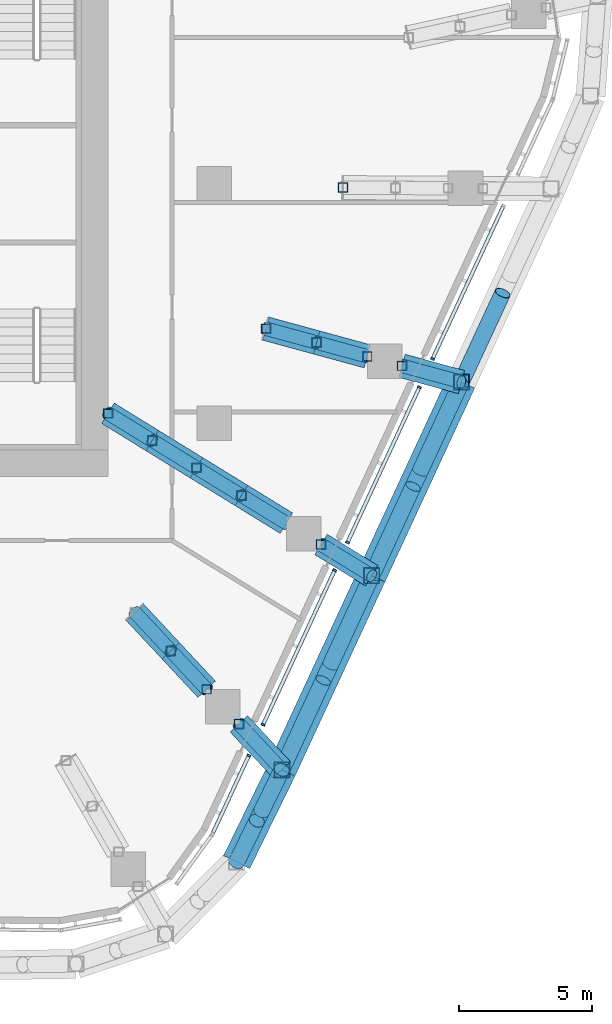
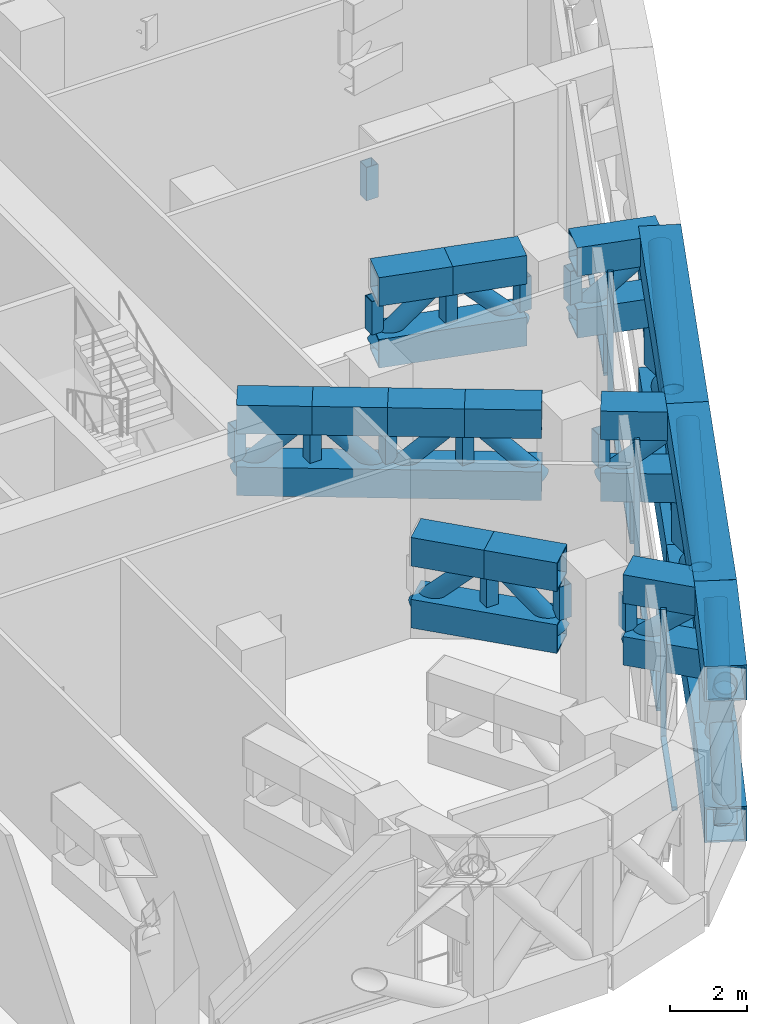
# One storey, part 7 of 30: 70 members, 1 element without a shape of its own.
"""IFC4 building model written with IfcOpenShell, lengths in metres."""

from ifc_helpers import new_model, si_unit, direction, frame, origin, origin_2d, place, context, subcontext, project, spatial, rectangle, hollow_rectangle, hollow_circle, extrude, material, layer, layer_set, material_profile, profile_set, type_object, element, aggregate, save


model = new_model("IFC4")

# Units and contexts
model_context = context("Model", 3, precision=1e-05, world=origin(), true_north=direction((0.0, 1.0)))
body_context = subcontext(model_context, "Body", "Model", "MODEL_VIEW")
ifc_project = project(units=[si_unit("LENGTHUNIT", "METRE"), si_unit("AREAUNIT", "SQUARE_METRE"), si_unit("VOLUMEUNIT", "CUBIC_METRE"), si_unit("PLANEANGLEUNIT", "RADIAN"), si_unit("MASSUNIT", "GRAM", prefix="KILO")], contexts=[model_context])

# Site, building, storey
site_placement = place(None, origin())
site = spatial("IfcSite", under=ifc_project, at=site_placement, CompositionType="ELEMENT")
building_placement = place(site_placement, origin())
building = spatial("IfcBuilding", under=site, at=building_placement, Name="Dongbaek Canopy Tower", CompositionType="ELEMENT")
storey_placement = place(building_placement, frame((0.0, 0.0, 145.60009765625)))
storey = spatial("IfcBuildingStorey", under=building, at=storey_placement, Name="L32", CompositionType="ELEMENT", Elevation=145.60009765625)

# Members
ifc_material_1 = material(Name="Steel S355", Category="steel")
ifc_material_profile_1 = material_profile(ifc_material_1, hollow_circle(Radius=0.304931640625, WallThickness=0.01611328125, at=origin_2d()), Name="BELT BRACE CHS 610.0x16.0 Steel S355")
ifc_profile_set_1 = profile_set([ifc_material_profile_1], Name="Steel S355")
member_type_1 = type_object("IfcMemberType", Name="BELT BRACE CHS 610.0x16.0 Steel S355", PredefinedType="BRACE", material=ifc_profile_set_1)
member_1_placement = place(storey_placement, frame((27.28271484375, -7.444580078125, 0.5498046875), z_axis=(0.367352429298, 0.79297894434, 0.486041753887), x_axis=(-0.907365433388, 0.420342681978, 0.0)))
element("IfcMember", 1, at=member_1_placement, inside=storey, type_object=member_type_1, Name="BELT:L32:22:D0:1", PredefinedType="BRACE", context=body_context, shape_type="SweptSolid", body=[
    extrude(hollow_circle(Radius=0.304931640625, WallThickness=0.01611328125, at=origin_2d()), origin(), (0.0, 0.0, 1.0), 4.21875),
])
member_2_placement = place(storey_placement, frame((27.28271484375, -7.444580078125, 0.5498046875), z_axis=(-0.367535501066, -0.793461508239, 0.48511492494), x_axis=(0.907383088082, -0.42030456988, 0.0)))
element("IfcMember", 2, at=member_2_placement, inside=storey, type_object=member_type_1, Name="BELT:L32:23:D0:0", PredefinedType="BRACE", context=body_context, shape_type="SweptSolid", body=[
    extrude(hollow_circle(Radius=0.304931640625, WallThickness=0.01611328125, at=origin_2d()), origin(), (0.0, 0.0, 1.0), 9.173583984375),
])
for number, where, z_axis, x_axis, name in (
    (3, (23.9111328125, -14.723388671875, 0.5498046875), (0.367552452998, 0.793437397751, 0.485141515585), (-0.907370823395, 0.420331046738, 0.0), "BELT:L32:23:D0:1"),
    (4, (27.28271484375, -7.444580078125, 5.0), (-0.367535610477, -0.793458792009, -0.485119284728), (0.907382491631, -0.42030585754, 0.0), "BELT:L32:23:D0:2"),
):
    element("IfcMember", number, at=place(storey_placement, frame(where, z_axis=z_axis, x_axis=x_axis)), inside=storey, type_object=member_type_1, Name=name, PredefinedType="BRACE", context=body_context, shape_type="SweptSolid", body=[
        extrude(hollow_circle(Radius=0.304931640625, WallThickness=0.01611328125, at=origin_2d()), origin(), (0.0, 0.0, 1.0), 4.227294921875),
    ])
member_3_placement = place(storey_placement, frame((23.9111328125, -14.723388671875, 0.5498046875), z_axis=(-0.367759015401, -0.793884465595, 0.484252787166), x_axis=(0.907371057741, -0.420330540853, 0.0)))
element("IfcMember", 5, at=member_3_placement, inside=storey, type_object=member_type_1, Name="BELT:L32:24:D0:0", PredefinedType="BRACE", context=body_context, shape_type="SweptSolid", body=[
    extrude(hollow_circle(Radius=0.304931640625, WallThickness=0.01611328125, at=origin_2d()), origin(), (0.0, 0.0, 1.0), 9.189697265625),
])
member_4_placement = place(storey_placement, frame((20.531494140625, -22.01904296875, 0.5498046875), z_axis=(0.367745377526, 0.793889574213, 0.484254768963), x_axis=(-0.907378034206, 0.420315480372, 0.0)))
element("IfcMember", 6, at=member_4_placement, inside=storey, type_object=member_type_1, Name="BELT:L32:24:D0:1", PredefinedType="BRACE", context=body_context, shape_type="SweptSolid", body=[
    extrude(hollow_circle(Radius=0.304931640625, WallThickness=0.01611328125, at=origin_2d()), origin(), (0.0, 0.0, 1.0), 4.23486328125),
])
member_5_placement = place(storey_placement, frame((23.9111328125, -14.723388671875, 5.0), z_axis=(-0.367795229008, -0.793872742739, -0.484244502143), x_axis=(0.907352903631, -0.420369728064, 0.0)))
element("IfcMember", 7, at=member_5_placement, inside=storey, type_object=member_type_1, Name="BELT:L32:24:D0:2", PredefinedType="BRACE", context=body_context, shape_type="SweptSolid", body=[
    extrude(hollow_circle(Radius=0.304931640625, WallThickness=0.01611328125, at=origin_2d()), origin(), (0.0, 0.0, 1.0), 4.235107421875),
])
member_6_placement = place(storey_placement, frame((20.531494140625, -22.01904296875, 0.5498046875), z_axis=(-0.288095750621, -0.588418266661, 0.755489762957), x_axis=(0.898128488566, -0.439733121365, 0.0)))
element("IfcMember", 8, at=member_6_placement, inside=storey, type_object=member_type_1, Name="BELT:L32:25:D0:0", PredefinedType="BRACE", context=body_context, shape_type="SweptSolid", body=[
    extrude(hollow_circle(Radius=0.304931640625, WallThickness=0.01611328125, at=origin_2d()), origin(), (0.0, 0.0, 1.0), 5.890380859375),
])
for number, where, z_axis, x_axis, name in (
    (9, (18.83447265625, -25.485107421875, 0.5498046875), (0.288112482109, 0.588445673614, 0.755462035351), (-0.898126491693, 0.439737199835, 0.0), "BELT:L32:25:D0:1"),
    (10, (20.531494140625, -22.01904296875, 5.0), (-0.288112482109, -0.588445673614, -0.755462035351), (0.898126491693, -0.439737199835, 0.0), "BELT:L32:25:D0:2"),
):
    element("IfcMember", number, at=place(storey_placement, frame(where, z_axis=z_axis, x_axis=x_axis)), inside=storey, type_object=member_type_1, Name=name, PredefinedType="BRACE", context=body_context, shape_type="SweptSolid", body=[
        extrude(hollow_circle(Radius=0.304931640625, WallThickness=0.01611328125, at=origin_2d()), origin(), (0.0, 0.0, 1.0), 2.636962890625),
    ])
ifc_material_2 = material(Name="Steel S355", Category="steel")
ifc_material_profile_2 = material_profile(ifc_material_2, hollow_rectangle(XDim=1.10009765625, YDim=1.10009765625, WallThickness=0.054931640625, at=origin_2d()), Name="BELT CHORD BOX 1100x1100x55 Steel S355")
ifc_profile_set_2 = profile_set([ifc_material_profile_2], Name="Steel S355")
member_type_2 = type_object("IfcMemberType", Name="BELT CHORD BOX 1100x1100x55 Steel S355", PredefinedType="CHORD", material=ifc_profile_set_2)
for number, where, z_axis, x_axis, name in (
    (11, (27.28271484375, -7.444580078125, 0.5498046875), (-0.42030456988, -0.907383088082, 0.0), (0.907383088082, -0.42030456988, 0.0), "BELT:L32:23:CB0"),
    (12, (27.28271484375, -7.444580078125, 5.0), (-0.42030456988, -0.907383088082, 0.0), (0.907383088082, -0.42030456988, 0.0), "BELT:L32:23:CT0"),
):
    element("IfcMember", number, at=place(storey_placement, frame(where, z_axis=z_axis, x_axis=x_axis)), inside=storey, type_object=member_type_2, Name=name, PredefinedType="CHORD", context=body_context, shape_type="SweptSolid", body=[
        extrude(hollow_rectangle(XDim=1.10009765625, YDim=1.10009765625, WallThickness=0.054931640625, at=origin_2d()), origin(), (0.0, 0.0, 1.0), 8.021728515625),
    ])
for number, where, z_axis, x_axis, name in (
    (13, (23.9111328125, -14.723388671875, 0.5498046875), (-0.420330540853, -0.907371057741, 0.0), (0.907371057741, -0.420330540853, 0.0), "BELT:L32:24:CB0"),
    (14, (23.9111328125, -14.723388671875, 5.0), (-0.420330540853, -0.907371057741, 0.0), (0.907371057741, -0.420330540853, 0.0), "BELT:L32:24:CT0"),
):
    element("IfcMember", number, at=place(storey_placement, frame(where, z_axis=z_axis, x_axis=x_axis)), inside=storey, type_object=member_type_2, Name=name, PredefinedType="CHORD", context=body_context, shape_type="SweptSolid", body=[
        extrude(hollow_rectangle(XDim=1.10009765625, YDim=1.10009765625, WallThickness=0.054931640625, at=origin_2d()), origin(), (0.0, 0.0, 1.0), 8.04052734375),
    ])
for number, where, z_axis, x_axis, name in (
    (15, (20.531494140625, -22.01904296875, 0.5498046875), (-0.439733121365, -0.898128488566, 0.0), (0.898128488566, -0.439733121365, 0.0), "BELT:L32:25:CB0"),
    (16, (20.531494140625, -22.01904296875, 5.0), (-0.439733121365, -0.898128488566, 0.0), (0.898128488566, -0.439733121365, 0.0), "BELT:L32:25:CT0"),
):
    element("IfcMember", number, at=place(storey_placement, frame(where, z_axis=z_axis, x_axis=x_axis)), inside=storey, type_object=member_type_2, Name=name, PredefinedType="CHORD", context=body_context, shape_type="SweptSolid", body=[
        extrude(hollow_rectangle(XDim=1.10009765625, YDim=1.10009765625, WallThickness=0.054931640625, at=origin_2d()), origin(), (0.0, 0.0, 1.0), 3.859130859375),
    ])
ifc_material_3 = material(Name="Steel S355", Category="steel")
ifc_material_profile_3 = material_profile(ifc_material_3, hollow_rectangle(XDim=0.60009765625, YDim=0.60009765625, WallThickness=0.031982421875, at=origin_2d()), Name="BELT POST BOX 600x600x32 Steel S355")
ifc_profile_set_3 = profile_set([ifc_material_profile_3], Name="Steel S355")
member_type_3 = type_object("IfcMemberType", Name="BELT POST BOX 600x600x32 Steel S355", PredefinedType="POST", material=ifc_profile_set_3)
for number, where, z_axis, x_axis, name in (
    (17, (27.28271484375, -7.444580078125, 1.099853515625), (0.0, 0.0, 1.0), (1.0, 0.0, 0.0), "BELT:L32:23:P0"),
    (18, (23.9111328125, -14.723388671875, 1.099853515625), (0.0, 0.0, 1.0), (1.0, 0.0, 0.0), "BELT:L32:24:P0"),
    (19, (20.531494140625, -22.01904296875, 1.099853515625), (0.0, 0.0, 1.0), (1.0, 0.0, 0.0), "BELT:L32:25:P0"),
):
    element("IfcMember", number, at=place(storey_placement, frame(where, z_axis=z_axis, x_axis=x_axis)), inside=storey, type_object=member_type_3, Name=name, PredefinedType="POST", context=body_context, shape_type="SweptSolid", body=[
        extrude(hollow_rectangle(XDim=0.60009765625, YDim=0.60009765625, WallThickness=0.031982421875, at=origin_2d()), origin(), (0.0, 0.0, 1.0), 3.35009765625),
    ])
ifc_material_4 = material(Name="Steel S355", Category="steel")
ifc_material_profile_4 = material_profile(ifc_material_4, hollow_circle(Radius=0.25390625, WallThickness=0.01611328125, at=origin_2d()), Name="BRACE CHS 508.0x16.0 Steel S355")
ifc_profile_set_4 = profile_set([ifc_material_profile_4], Name="Steel S355")
member_type_4 = type_object("IfcMemberType", Name="BRACE CHS 508.0x16.0 Steel S355", PredefinedType="BRACE", material=ifc_profile_set_4)
member_7_placement = place(storey_placement, frame((19.935302734375, -5.439697265625, 3.14990234375), z_axis=(0.686534732941, -0.187356692013, 0.702543614606), x_axis=(0.26327428298, 0.964721022846, 0.0)))
element("IfcMember", 20, at=member_7_placement, inside=storey, type_object=member_type_4, Name="TRUSS:L32:23:D0", PredefinedType="BRACE", context=body_context, shape_type="SweptSolid", body=[
    extrude(hollow_circle(Radius=0.25390625, WallThickness=0.01611328125, at=origin_2d()), origin(), (0.0, 0.0, 1.0), 2.775634765625),
])
for number, where, z_axis, x_axis, name in (
    (21, (21.8408203125, -5.959716796875, 5.099853515625), (0.686499538798, -0.187283126358, -0.702597618706), (0.263190627126, 0.964743848798, 0.0), "TRUSS:L32:23:D1"),
    (22, (15.01513671875, -16.10302734375, 3.14990234375), (0.485292887457, -0.520478161153, 0.702561952532), (0.731396350323, 0.68195262206, 0.0), "TRUSS:L32:25:D0"),
    (23, (16.362060546875, -17.547607421875, 5.099853515625), (0.485315105229, -0.520414022573, -0.702594117358), (0.731338856852, 0.682014278779, 0.0), "TRUSS:L32:25:D1"),
):
    element("IfcMember", number, at=place(storey_placement, frame(where, z_axis=z_axis, x_axis=x_axis)), inside=storey, type_object=member_type_4, Name=name, PredefinedType="BRACE", context=body_context, shape_type="SweptSolid", body=[
        extrude(hollow_circle(Radius=0.25390625, WallThickness=0.01611328125, at=origin_2d()), origin(), (0.0, 0.0, 1.0), 2.775390625),
    ])
member_8_placement = place(storey_placement, frame((25.0458984375, -6.83447265625, 3.14990234375), z_axis=(0.7383443505, -0.201388619504, 0.643653823122), x_axis=(0.263144135634, 0.964756530883, 0.0)))
element("IfcMember", 24, at=member_8_placement, inside=storey, type_object=member_type_4, Name="TRUSS:L32:23x:D0", PredefinedType="BRACE", context=body_context, shape_type="SweptSolid", body=[
    extrude(hollow_circle(Radius=0.25390625, WallThickness=0.01611328125, at=origin_2d()), origin(), (0.0, 0.0, 1.0), 3.029541015625),
])
member_9_placement = place(storey_placement, frame((22.006103515625, -13.55029296875, 3.14990234375), z_axis=(0.641908127278, -0.39527983488, 0.657044753629), x_axis=(0.524347033113, 0.851504661682, 0.0)))
element("IfcMember", 25, at=member_9_placement, inside=storey, type_object=member_type_4, Name="TRUSS:L32:24x:D0", PredefinedType="BRACE", context=body_context, shape_type="SweptSolid", body=[
    extrude(hollow_circle(Radius=0.25390625, WallThickness=0.01611328125, at=origin_2d()), origin(), (0.0, 0.0, 1.0), 2.9677734375),
])
member_10_placement = place(storey_placement, frame((18.921142578125, -20.2919921875, 3.14990234375), z_axis=(0.525847587489, -0.563954795921, 0.63674115847), x_axis=(0.731385246826, 0.681964530402, 0.0)))
element("IfcMember", 26, at=member_10_placement, inside=storey, type_object=member_type_4, Name="TRUSS:L32:25x:D0", PredefinedType="BRACE", context=body_context, shape_type="SweptSolid", body=[
    extrude(hollow_circle(Radius=0.25390625, WallThickness=0.01611328125, at=origin_2d()), origin(), (0.0, 0.0, 1.0), 3.0625),
])
ifc_material_5 = material(Name="Steel S355", Category="steel")
ifc_material_profile_5 = material_profile(ifc_material_5, hollow_rectangle(XDim=0.89990234375, YDim=0.89990234375, WallThickness=0.044921875, at=origin_2d()), Name="CHORD BOX 900x900x45 Steel S355")
ifc_profile_set_5 = profile_set([ifc_material_profile_5], Name="Steel S355")
member_type_5 = type_object("IfcMemberType", Name="CHORD BOX 900x900x45 Steel S355", PredefinedType="CHORD", material=ifc_profile_set_5)
member_11_placement = place(storey_placement, frame((19.935302734375, -5.439697265625, 3.14990234375), z_axis=(0.964732435862, -0.263232458475, 0.0), x_axis=(0.263232458475, 0.964732435862, 0.0)))
element("IfcMember", 27, at=member_11_placement, inside=storey, type_object=member_type_5, Name="TRUSS:L32:23:CB", PredefinedType="CHORD", context=body_context, shape_type="SweptSolid", body=[
    extrude(hollow_rectangle(XDim=0.89990234375, YDim=0.89990234375, WallThickness=0.044921875, at=origin_2d()), origin(), (0.0, 0.0, 1.0), 3.9501953125),
])
member_12_placement = place(storey_placement, frame((19.935302734375, -5.439697265625, 5.099853515625), z_axis=(0.964721022846, -0.26327428298, 0.0), x_axis=(0.26327428298, 0.964721022846, 0.0)))
element("IfcMember", 28, at=member_12_placement, inside=storey, type_object=member_type_5, Name="TRUSS:L32:23:CT0", PredefinedType="CHORD", context=body_context, shape_type="SweptSolid", body=[
    extrude(hollow_rectangle(XDim=0.89990234375, YDim=0.89990234375, WallThickness=0.044921875, at=origin_2d()), origin(), (0.0, 0.0, 1.0), 1.97509765625),
])
member_13_placement = place(storey_placement, frame((21.8408203125, -5.959716796875, 5.099853515625), z_axis=(0.964743848798, -0.263190627126, 0.0), x_axis=(0.263190627126, 0.964743848798, 0.0)))
element("IfcMember", 29, at=member_13_placement, inside=storey, type_object=member_type_5, Name="TRUSS:L32:23:CT1", PredefinedType="CHORD", context=body_context, shape_type="SweptSolid", body=[
    extrude(hollow_rectangle(XDim=0.89990234375, YDim=0.89990234375, WallThickness=0.044921875, at=origin_2d()), origin(), (0.0, 0.0, 1.0), 1.974853515625),
])
member_14_placement = place(storey_placement, frame((15.01513671875, -16.10302734375, 3.14990234375), z_axis=(0.681983449632, -0.731367605537, 0.0), x_axis=(0.731367605537, 0.681983449632, 0.0)))
element("IfcMember", 30, at=member_14_placement, inside=storey, type_object=member_type_5, Name="TRUSS:L32:25:CB", PredefinedType="CHORD", context=body_context, shape_type="SweptSolid", body=[
    extrude(hollow_rectangle(XDim=0.89990234375, YDim=0.89990234375, WallThickness=0.044921875, at=origin_2d()), origin(), (0.0, 0.0, 1.0), 3.949951171875),
])
member_15_placement = place(storey_placement, frame((15.01513671875, -16.10302734375, 5.099853515625), z_axis=(0.68195262206, -0.731396350323, 0.0), x_axis=(0.731396350323, 0.68195262206, 0.0)))
element("IfcMember", 31, at=member_15_placement, inside=storey, type_object=member_type_5, Name="TRUSS:L32:25:CT0", PredefinedType="CHORD", context=body_context, shape_type="SweptSolid", body=[
    extrude(hollow_rectangle(XDim=0.89990234375, YDim=0.89990234375, WallThickness=0.044921875, at=origin_2d()), origin(), (0.0, 0.0, 1.0), 1.97509765625),
])
member_16_placement = place(storey_placement, frame((16.362060546875, -17.547607421875, 5.099853515625), z_axis=(0.682014278779, -0.731338856852, 0.0), x_axis=(0.731338856852, 0.682014278779, 0.0)))
element("IfcMember", 32, at=member_16_placement, inside=storey, type_object=member_type_5, Name="TRUSS:L32:25:CT1", PredefinedType="CHORD", context=body_context, shape_type="SweptSolid", body=[
    extrude(hollow_rectangle(XDim=0.89990234375, YDim=0.89990234375, WallThickness=0.044921875, at=origin_2d()), origin(), (0.0, 0.0, 1.0), 1.974853515625),
])
for number, where, z_axis, x_axis, name in (
    (33, (25.0458984375, -6.83447265625, 3.14990234375), (0.964756530883, -0.263144135634, 0.0), (0.263144135634, 0.964756530883, 0.0), "TRUSS:L32:23x:CB"),
    (34, (25.0458984375, -6.83447265625, 5.099853515625), (0.964756530883, -0.263144135634, 0.0), (0.263144135634, 0.964756530883, 0.0), "TRUSS:L32:23x:CT0"),
):
    element("IfcMember", number, at=place(storey_placement, frame(where, z_axis=z_axis, x_axis=x_axis)), inside=storey, type_object=member_type_5, Name=name, PredefinedType="CHORD", context=body_context, shape_type="SweptSolid", body=[
        extrude(hollow_rectangle(XDim=0.89990234375, YDim=0.89990234375, WallThickness=0.044921875, at=origin_2d()), origin(), (0.0, 0.0, 1.0), 2.318603515625),
    ])
for number, where, z_axis, x_axis, name in (
    (35, (22.006103515625, -13.55029296875, 3.14990234375), (0.851504661682, -0.524347033113, 0.0), (0.524347033113, 0.851504661682, 0.0), "TRUSS:L32:24x:CB"),
    (36, (22.006103515625, -13.55029296875, 5.099853515625), (0.851504661682, -0.524347033113, 0.0), (0.524347033113, 0.851504661682, 0.0), "TRUSS:L32:24x:CT0"),
):
    element("IfcMember", number, at=place(storey_placement, frame(where, z_axis=z_axis, x_axis=x_axis)), inside=storey, type_object=member_type_5, Name=name, PredefinedType="CHORD", context=body_context, shape_type="SweptSolid", body=[
        extrude(hollow_rectangle(XDim=0.89990234375, YDim=0.89990234375, WallThickness=0.044921875, at=origin_2d()), origin(), (0.0, 0.0, 1.0), 2.2373046875),
    ])
for number, where, z_axis, x_axis, name in (
    (37, (18.921142578125, -20.2919921875, 3.14990234375), (0.681964530402, -0.731385246826, 0.0), (0.731385246826, 0.681964530402, 0.0), "TRUSS:L32:25x:CB"),
    (38, (18.921142578125, -20.2919921875, 5.099853515625), (0.681964530402, -0.731385246826, 0.0), (0.731385246826, 0.681964530402, 0.0), "TRUSS:L32:25x:CT0"),
):
    element("IfcMember", number, at=place(storey_placement, frame(where, z_axis=z_axis, x_axis=x_axis)), inside=storey, type_object=member_type_5, Name=name, PredefinedType="CHORD", context=body_context, shape_type="SweptSolid", body=[
        extrude(hollow_rectangle(XDim=0.89990234375, YDim=0.89990234375, WallThickness=0.044921875, at=origin_2d()), origin(), (0.0, 0.0, 1.0), 2.361328125),
    ])

# Curtain wall, members
ifc_material_6 = material(Name="Aluminium 6063-T6 pale anodised", Category="aluminium")
ifc_layer = layer(ifc_material_6, 0.14990234375)
ifc_layer_set = layer_set([ifc_layer], Name="CW-7 louvre curtain wall")
curtain_wall_type = type_object("IfcCurtainWallType", Name="CW-7 louvre curtain wall", PredefinedType="NOTDEFINED", material=ifc_layer_set)
curtain_wall_placement = place(storey_placement, origin())
curtain_wall = element("IfcCurtainWall", 39, at=curtain_wall_placement, inside=storey, type_object=curtain_wall_type, Name="CW-7 louvre wall L32 F5", PredefinedType="NOTDEFINED")
ifc_material_7 = material(Name="Aluminium 6063-T6 pale anodised", Category="aluminium")
ifc_material_profile_6 = material_profile(ifc_material_7, rectangle(XDim=0.14990234375, YDim=0.080078125, at=origin_2d()), Name="CW-7 mullion 80 x 150")
ifc_profile_set_6 = profile_set([ifc_material_profile_6], Name="Aluminium 6063-T6 pale anodised")
member_type_6 = type_object("IfcMemberType", Name="CW-7 mullion 80 x 150", PredefinedType="MULLION", material=ifc_profile_set_6)
member_17_placement = place(storey_placement, frame((19.293212890625, -21.47998046875, 0.77490234375), z_axis=(0.0, 0.0, 1.0), x_axis=(0.907369226366, -0.420334494236, 0.0)))
member_17 = element("IfcMember", 40, at=member_17_placement, type_object=member_type_6, Name="CW-7 mullion L32 F5.1.2", PredefinedType="MULLION", context=body_context, shape_type="SweptSolid", body=[
    extrude(rectangle(XDim=0.14990234375, YDim=0.080078125, at=origin_2d()), origin(), (0.0, 0.0, 1.0), 4.0),
])
member_18_placement = place(storey_placement, frame((19.828369140625, -20.32470703125, 0.77490234375), z_axis=(0.0, 0.0, 1.0), x_axis=(0.907369226366, -0.420334494236, 0.0)))
member_18 = element("IfcMember", 41, at=member_18_placement, type_object=member_type_6, Name="CW-7 mullion L32 F5.2.1", PredefinedType="MULLION", context=body_context, shape_type="SweptSolid", body=[
    extrude(rectangle(XDim=0.14990234375, YDim=0.080078125, at=origin_2d()), origin(), (0.0, 0.0, 1.0), 4.0),
])
member_19_placement = place(storey_placement, frame((22.5185546875, -14.517333984375, 0.77490234375), z_axis=(0.0, 0.0, 1.0), x_axis=(0.907369226366, -0.420334494236, 0.0)))
member_19 = element("IfcMember", 42, at=member_19_placement, type_object=member_type_6, Name="CW-7 mullion L32 F5.2.2", PredefinedType="MULLION", context=body_context, shape_type="SweptSolid", body=[
    extrude(rectangle(XDim=0.14990234375, YDim=0.080078125, at=origin_2d()), origin(), (0.0, 0.0, 1.0), 4.0),
])
member_20_placement = place(storey_placement, frame((23.002197265625, -13.4736328125, 0.77490234375), z_axis=(0.0, 0.0, 1.0), x_axis=(0.907369226366, -0.420334494236, 0.0)))
member_20 = element("IfcMember", 43, at=member_20_placement, type_object=member_type_6, Name="CW-7 mullion L32 F5.3.1", PredefinedType="MULLION", context=body_context, shape_type="SweptSolid", body=[
    extrude(rectangle(XDim=0.14990234375, YDim=0.080078125, at=origin_2d()), origin(), (0.0, 0.0, 1.0), 4.0),
])
member_21_placement = place(storey_placement, frame((25.7060546875, -7.636962890625, 0.77490234375), z_axis=(0.0, 0.0, 1.0), x_axis=(0.907369226366, -0.420334494236, 0.0)))
member_21 = element("IfcMember", 44, at=member_21_placement, type_object=member_type_6, Name="CW-7 mullion L32 F5.3.2", PredefinedType="MULLION", context=body_context, shape_type="SweptSolid", body=[
    extrude(rectangle(XDim=0.14990234375, YDim=0.080078125, at=origin_2d()), origin(), (0.0, 0.0, 1.0), 4.0),
])
member_22_placement = place(storey_placement, frame((26.198486328125, -6.57373046875, 0.77490234375), z_axis=(0.0, 0.0, 1.0), x_axis=(0.907369226366, -0.420334494236, 0.0)))
member_22 = element("IfcMember", 45, at=member_22_placement, type_object=member_type_6, Name="CW-7 mullion L32 F5.4.1", PredefinedType="MULLION", context=body_context, shape_type="SweptSolid", body=[
    extrude(rectangle(XDim=0.14990234375, YDim=0.080078125, at=origin_2d()), origin(), (0.0, 0.0, 1.0), 4.0),
])
ifc_material_8 = material(Name="Aluminium 6063-T6 pale anodised", Category="aluminium")
ifc_material_profile_7 = material_profile(ifc_material_8, rectangle(XDim=0.14990234375, YDim=0.1201171875, at=origin_2d()), Name="CW-7 transom 120 x 150")
ifc_profile_set_7 = profile_set([ifc_material_profile_7], Name="Aluminium 6063-T6 pale anodised")
member_type_7 = type_object("IfcMemberType", Name="CW-7 transom 120 x 150", PredefinedType="USERDEFINED", material=ifc_profile_set_7)
member_23_placement = place(storey_placement, frame((17.932861328125, -24.41650390625, 0.71484375), z_axis=(0.420339835563, 0.907366752002, 0.0), x_axis=(-0.907366752002, 0.420339835563, 0.0)))
member_23 = element("IfcMember", 46, at=member_23_placement, type_object=member_type_7, Name="CW-7 transom L32 F5.1", ObjectType="TRANSOM", PredefinedType="USERDEFINED", context=body_context, shape_type="SweptSolid", body=[
    extrude(rectangle(XDim=0.14990234375, YDim=0.1201171875, at=origin_2d()), origin(), (0.0, 0.0, 1.0), 3.236328125),
])
member_24_placement = place(storey_placement, frame((19.828369140625, -20.32470703125, 0.71484375), z_axis=(0.420327741059, 0.907372354712, 0.0), x_axis=(-0.907372354712, 0.420327741059, 0.0)))
member_24 = element("IfcMember", 47, at=member_24_placement, type_object=member_type_7, Name="CW-7 transom L32 F5.2", ObjectType="TRANSOM", PredefinedType="USERDEFINED", context=body_context, shape_type="SweptSolid", body=[
    extrude(rectangle(XDim=0.14990234375, YDim=0.1201171875, at=origin_2d()), origin(), (0.0, 0.0, 1.0), 6.400146484375),
])
member_25_placement = place(storey_placement, frame((23.002197265625, -13.4736328125, 0.71484375), z_axis=(0.420340604555, 0.907366395764, 0.0), x_axis=(-0.907366395764, 0.420340604555, 0.0)))
member_25 = element("IfcMember", 48, at=member_25_placement, type_object=member_type_7, Name="CW-7 transom L32 F5.3", ObjectType="TRANSOM", PredefinedType="USERDEFINED", context=body_context, shape_type="SweptSolid", body=[
    extrude(rectangle(XDim=0.14990234375, YDim=0.1201171875, at=origin_2d()), origin(), (0.0, 0.0, 1.0), 6.4326171875),
])
member_26_placement = place(storey_placement, frame((26.198486328125, -6.57373046875, 0.71484375), z_axis=(0.420344294122, 0.907364686551, 0.0), x_axis=(-0.907364686551, 0.420344294122, 0.0)))
member_26 = element("IfcMember", 49, at=member_26_placement, type_object=member_type_7, Name="CW-7 transom L32 F5.4", ObjectType="TRANSOM", PredefinedType="USERDEFINED", context=body_context, shape_type="SweptSolid", body=[
    extrude(rectangle(XDim=0.14990234375, YDim=0.1201171875, at=origin_2d()), origin(), (0.0, 0.0, 1.0), 6.341796875),
])
aggregate(curtain_wall, [member_23, member_17, member_24, member_18, member_19, member_25, member_20, member_21, member_26, member_22])

# Members
ifc_material_9 = material(Name="Steel S355", Category="steel")
ifc_material_profile_8 = material_profile(ifc_material_9, hollow_circle(Radius=0.25390625, WallThickness=0.01611328125, at=origin_2d()), Name="OUTRIGGER BRACE CHS 508.0x16.0 Steel S355")
ifc_profile_set_8 = profile_set([ifc_material_profile_8], Name="Steel S355")
member_type_8 = type_object("IfcMemberType", Name="OUTRIGGER BRACE CHS 508.0x16.0 Steel S355", PredefinedType="BRACE", material=ifc_profile_set_8)
member_27_placement = place(storey_placement, frame((14.0, -8.62060546875, 3.14990234375), z_axis=(0.602198835639, -0.370808602454, 0.707006041489), x_axis=(0.524327865623, 0.85151646451, 0.0)))
element("IfcMember", 50, at=member_27_placement, inside=storey, type_object=member_type_8, Name="TRUSS:L32:24:D0", PredefinedType="BRACE", context=body_context, shape_type="SweptSolid", body=[
    extrude(hollow_circle(Radius=0.25390625, WallThickness=0.01611328125, at=origin_2d()), origin(), (0.0, 0.0, 1.0), 2.758056640625),
])
member_28_placement = place(storey_placement, frame((15.660888671875, -9.643310546875, 5.099853515625), z_axis=(0.602255249676, -0.37078883611, -0.706968353786), x_axis=(0.52427198631, 0.851550870101, 0.0)))
element("IfcMember", 51, at=member_28_placement, inside=storey, type_object=member_type_8, Name="TRUSS:L32:24:D1", PredefinedType="BRACE", context=body_context, shape_type="SweptSolid", body=[
    extrude(hollow_circle(Radius=0.25390625, WallThickness=0.01611328125, at=origin_2d()), origin(), (0.0, 0.0, 1.0), 2.75830078125),
])
for number, where, z_axis, x_axis, name in (
    (52, (17.322021484375, -10.666015625, 3.14990234375), (0.607724328103, -0.374281014768, 0.700417634712), (0.524399024904, 0.85147264353, 0.0), "TRUSS:L32:24:D2"),
    (53, (19.013916015625, -11.7080078125, 5.099853515625), (0.607799575547, -0.374185657028, -0.700403290997), (0.524255081675, 0.8515612775, 0.0), "TRUSS:L32:24:D3"),
):
    element("IfcMember", number, at=place(storey_placement, frame(where, z_axis=z_axis, x_axis=x_axis)), inside=storey, type_object=member_type_8, Name=name, PredefinedType="BRACE", context=body_context, shape_type="SweptSolid", body=[
        extrude(hollow_circle(Radius=0.25390625, WallThickness=0.01611328125, at=origin_2d()), origin(), (0.0, 0.0, 1.0), 2.783935546875),
    ])
ifc_material_10 = material(Name="Steel S355", Category="steel")
ifc_material_profile_9 = material_profile(ifc_material_10, hollow_rectangle(XDim=0.89990234375, YDim=0.89990234375, WallThickness=0.044921875, at=origin_2d()), Name="OUTRIGGER CHORD BOX 900x900x45 Steel S355")
ifc_profile_set_9 = profile_set([ifc_material_profile_9], Name="Steel S355")
member_type_9 = type_object("IfcMemberType", Name="OUTRIGGER CHORD BOX 900x900x45 Steel S355", PredefinedType="CHORD", material=ifc_profile_set_9)
member_29_placement = place(storey_placement, frame((14.0, -8.62060546875, 3.14990234375), z_axis=(0.851525239357, -0.52431361487, 0.0), x_axis=(0.52431361487, 0.851525239357, 0.0)))
element("IfcMember", 54, at=member_29_placement, inside=storey, type_object=member_type_9, Name="TRUSS:L32:24:CB", PredefinedType="CHORD", context=body_context, shape_type="SweptSolid", body=[
    extrude(hollow_rectangle(XDim=0.89990234375, YDim=0.89990234375, WallThickness=0.044921875, at=origin_2d()), origin(), (0.0, 0.0, 1.0), 7.875244140625),
])
member_30_placement = place(storey_placement, frame((14.0, -8.62060546875, 5.099853515625), z_axis=(0.85151646451, -0.524327865623, 0.0), x_axis=(0.524327865623, 0.85151646451, 0.0)))
element("IfcMember", 55, at=member_30_placement, inside=storey, type_object=member_type_9, Name="TRUSS:L32:24:CT0", PredefinedType="CHORD", context=body_context, shape_type="SweptSolid", body=[
    extrude(hollow_rectangle(XDim=0.89990234375, YDim=0.89990234375, WallThickness=0.044921875, at=origin_2d()), origin(), (0.0, 0.0, 1.0), 1.950439453125),
])
member_31_placement = place(storey_placement, frame((15.660888671875, -9.643310546875, 5.099853515625), z_axis=(0.851550870101, -0.52427198631, 0.0), x_axis=(0.52427198631, 0.851550870101, 0.0)))
element("IfcMember", 56, at=member_31_placement, inside=storey, type_object=member_type_9, Name="TRUSS:L32:24:CT1", PredefinedType="CHORD", context=body_context, shape_type="SweptSolid", body=[
    extrude(hollow_rectangle(XDim=0.89990234375, YDim=0.89990234375, WallThickness=0.044921875, at=origin_2d()), origin(), (0.0, 0.0, 1.0), 1.95068359375),
])
for number, where, z_axis, x_axis, name in (
    (57, (17.322021484375, -10.666015625, 5.099853515625), (0.85147264353, -0.524399024904, 0.0), (0.524399024904, 0.85147264353, 0.0), "TRUSS:L32:24:CT2"),
    (58, (19.013916015625, -11.7080078125, 5.099853515625), (0.8515612775, -0.524255081675, 0.0), (0.524255081675, 0.8515612775, 0.0), "TRUSS:L32:24:CT3"),
):
    element("IfcMember", number, at=place(storey_placement, frame(where, z_axis=z_axis, x_axis=x_axis)), inside=storey, type_object=member_type_9, Name=name, PredefinedType="CHORD", context=body_context, shape_type="SweptSolid", body=[
        extrude(hollow_rectangle(XDim=0.89990234375, YDim=0.89990234375, WallThickness=0.044921875, at=origin_2d()), origin(), (0.0, 0.0, 1.0), 1.987060546875),
    ])
ifc_material_11 = material(Name="Steel S355", Category="steel")
ifc_material_profile_10 = material_profile(ifc_material_11, hollow_rectangle(XDim=0.35009765625, YDim=0.35009765625, WallThickness=0.01611328125, at=origin_2d()), Name="OUTRIGGER POST SHS 350x350x16 Steel S355")
ifc_profile_set_10 = profile_set([ifc_material_profile_10], Name="Steel S355")
member_type_10 = type_object("IfcMemberType", Name="OUTRIGGER POST SHS 350x350x16 Steel S355", PredefinedType="POST", material=ifc_profile_set_10)
for number, where, z_axis, x_axis, name in (
    (59, (14.0, -8.62060546875, 3.599853515625), (0.0, 0.0, 1.0), (1.0, 0.0, 0.0), "TRUSS:L32:24:P0"),
    (60, (15.660888671875, -9.643310546875, 3.599853515625), (0.0, 0.0, 1.0), (1.0, 0.0, 0.0), "TRUSS:L32:24:P1"),
    (61, (17.322021484375, -10.666015625, 3.599853515625), (0.0, 0.0, 1.0), (1.0, 0.0, 0.0), "TRUSS:L32:24:P2"),
    (62, (19.013916015625, -11.7080078125, 3.599853515625), (0.0, 0.0, 1.0), (1.0, 0.0, 0.0), "TRUSS:L32:24:P3"),
):
    element("IfcMember", number, at=place(storey_placement, frame(where, z_axis=z_axis, x_axis=x_axis)), inside=storey, type_object=member_type_10, Name=name, PredefinedType="POST", context=body_context, shape_type="SweptSolid", body=[
        extrude(hollow_rectangle(XDim=0.35009765625, YDim=0.35009765625, WallThickness=0.01611328125, at=origin_2d()), origin(), (0.0, 0.0, 1.0), 1.050048828125),
    ])
ifc_material_12 = material(Name="Steel S355", Category="steel")
ifc_material_profile_11 = material_profile(ifc_material_12, hollow_rectangle(XDim=0.35009765625, YDim=0.35009765625, WallThickness=0.01611328125, at=origin_2d()), Name="POST SHS 350x350x16 Steel S355")
ifc_profile_set_11 = profile_set([ifc_material_profile_11], Name="Steel S355")
member_type_11 = type_object("IfcMemberType", Name="POST SHS 350x350x16 Steel S355", PredefinedType="POST", material=ifc_profile_set_11)
for number, where, z_axis, x_axis, name in (
    (63, (22.836181640625, -0.13720703125, 3.599853515625), (0.0, 0.0, 1.0), (1.0, 0.0, 0.0), "TRUSS:L32:22:P0"),
    (64, (19.935302734375, -5.439697265625, 3.599853515625), (0.0, 0.0, 1.0), (1.0, 0.0, 0.0), "TRUSS:L32:23:P0"),
    (65, (21.8408203125, -5.959716796875, 3.599853515625), (0.0, 0.0, 1.0), (1.0, 0.0, 0.0), "TRUSS:L32:23:P1"),
    (66, (23.74609375, -6.4794921875, 3.599853515625), (0.0, 0.0, 1.0), (1.0, 0.0, 0.0), "TRUSS:L32:23:P2"),
    (67, (16.362060546875, -17.547607421875, 3.599853515625), (0.0, 0.0, 1.0), (1.0, 0.0, 0.0), "TRUSS:L32:25:P1"),
    (68, (17.708984375, -18.991943359375, 3.599853515625), (0.0, 0.0, 1.0), (1.0, 0.0, 0.0), "TRUSS:L32:25:P2"),
    (69, (25.0458984375, -6.83447265625, 3.599853515625), (0.0, 0.0, 1.0), (1.0, 0.0, 0.0), "TRUSS:L32:23x:P0"),
    (70, (22.006103515625, -13.55029296875, 3.599853515625), (0.0, 0.0, 1.0), (1.0, 0.0, 0.0), "TRUSS:L32:24x:P0"),
    (71, (18.921142578125, -20.2919921875, 3.599853515625), (0.0, 0.0, 1.0), (1.0, 0.0, 0.0), "TRUSS:L32:25x:P0"),
):
    element("IfcMember", number, at=place(storey_placement, frame(where, z_axis=z_axis, x_axis=x_axis)), inside=storey, type_object=member_type_11, Name=name, PredefinedType="POST", context=body_context, shape_type="SweptSolid", body=[
        extrude(hollow_rectangle(XDim=0.35009765625, YDim=0.35009765625, WallThickness=0.01611328125, at=origin_2d()), origin(), (0.0, 0.0, 1.0), 1.050048828125),
    ])

save(model, "model.ifc")
